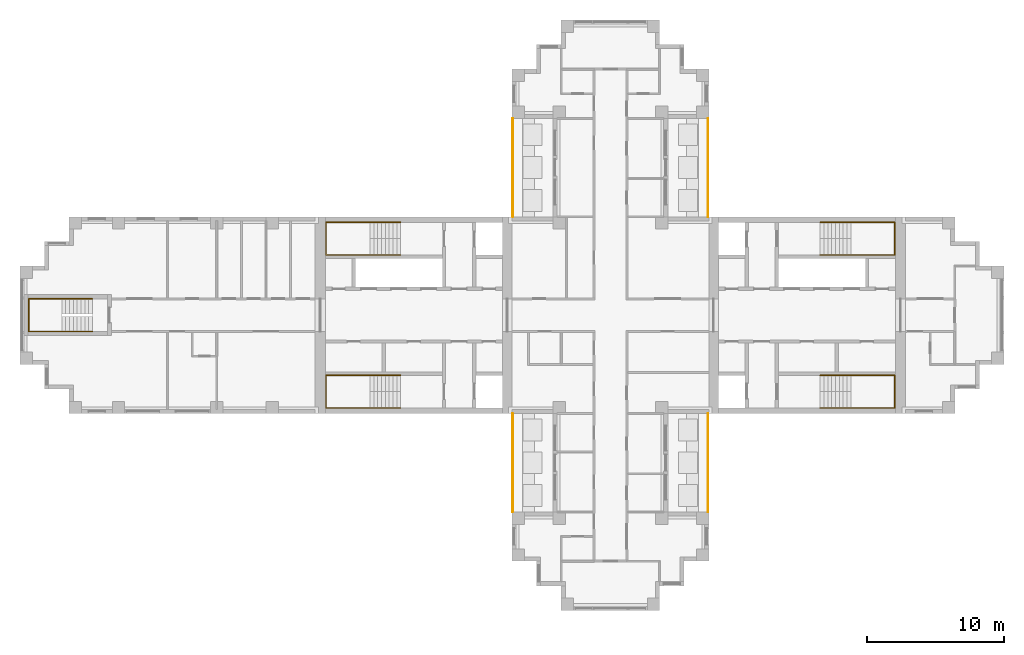
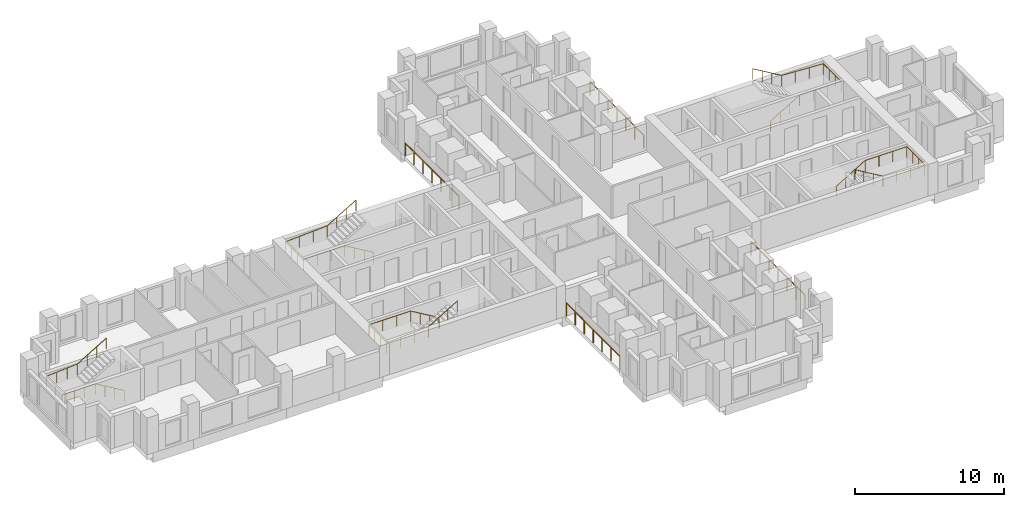
# One storey, part 10 of 11: 9 railings.
"""IFC4 building model written with IfcOpenShell, lengths in metres."""

from ifc_helpers import new_model, si_unit, direction, frame, origin, origin_2d, place, context, subcontext, project, spatial, circle, extrude, material, type_object, element, save


model = new_model("IFC4")

# Units and contexts
model_context = context("Model", 3, precision=1e-05, world=origin(), true_north=direction((0.0, 1.0)))
body_context = subcontext(model_context, "Body", "Model", "MODEL_VIEW")
ifc_project = project(units=[si_unit("LENGTHUNIT", "METRE"), si_unit("AREAUNIT", "SQUARE_METRE"), si_unit("VOLUMEUNIT", "CUBIC_METRE"), si_unit("PLANEANGLEUNIT", "RADIAN"), si_unit("MASSUNIT", "GRAM", prefix="KILO")], contexts=[model_context])

# Site, building, storey
site_placement = place(None, origin())
site = spatial("IfcSite", under=ifc_project, at=site_placement, CompositionType="ELEMENT")
building_placement = place(site_placement, origin())
building = spatial("IfcBuilding", under=site, at=building_placement, Name="Fustian Cross Tower", CompositionType="ELEMENT")
storey_placement = place(building_placement, frame((0.0, 0.0, 176.699951171875)))
storey = spatial("IfcBuildingStorey", under=building, at=storey_placement, Name="L55", CompositionType="ELEMENT", Elevation=176.699951171875)

# Railings
ifc_material_1 = material(Name="Stainless steel and glass", Category="steel")
railing_type_1 = type_object("IfcRailingType", Name="GR1 BALCONY GUARD 1100", PredefinedType="GUARDRAIL", material=ifc_material_1)
for number, where, name in (
    (1, (7.14990234375, 7.199951171875, 0.0), "Balcony guard"),
    (2, (-7.14990234375, 7.199951171875, 0.0), "Balcony guard"),
    (3, (7.14990234375, -14.39990234375, 0.0), "Balcony guard"),
    (4, (-7.14990234375, -14.39990234375, 0.0), "Balcony guard"),
):
    element("IfcRailing", number, at=place(storey_placement, frame(where)), inside=storey, type_object=railing_type_1, Name=name, PredefinedType="GUARDRAIL", context=body_context, shape_type="SweptSolid", body=[
        extrude(circle(Radius=0.02392578125, at=origin_2d()), frame((0.0, 0.0, 1.076171875), z_axis=(0.0, 1.0, 0.0), x_axis=(-1.0, 0.0, 0.0)), (0.0, 0.0, 1.0), 7.199951171875),
        extrude(circle(Radius=0.02099609375, at=origin_2d()), origin(), (0.0, 0.0, 1.0), 1.052001953125),
        extrude(circle(Radius=0.02099609375, at=origin_2d()), frame((0.0, 1.199951171875, 0.0)), (0.0, 0.0, 1.0), 1.052001953125),
        extrude(circle(Radius=0.02099609375, at=origin_2d()), frame((0.0, 2.39990234375, 0.0)), (0.0, 0.0, 1.0), 1.052001953125),
        extrude(circle(Radius=0.02099609375, at=origin_2d()), frame((0.0, 3.60009765625, 0.0)), (0.0, 0.0, 1.0), 1.052001953125),
        extrude(circle(Radius=0.02099609375, at=origin_2d()), frame((0.0, 4.800048828125, 0.0)), (0.0, 0.0, 1.0), 1.052001953125),
        extrude(circle(Radius=0.02099609375, at=origin_2d()), frame((0.0, 6.0, 0.0)), (0.0, 0.0, 1.0), 1.052001953125),
        extrude(circle(Radius=0.02099609375, at=origin_2d()), frame((0.0, 7.199951171875, 0.0)), (0.0, 0.0, 1.0), 1.052001953125),
    ])
ifc_material_2 = material(Name="Stainless steel", Category="steel")
railing_type_2 = type_object("IfcRailingType", Name="STAIR HANDRAIL", PredefinedType="HANDRAIL", material=ifc_material_2)
railing_1_placement = place(storey_placement, frame((15.35009765625, 4.39990234375, 0.166748046875)))
element("IfcRailing", 5, at=railing_1_placement, inside=storey, type_object=railing_type_2, Name="Stair ST1 handrail 1", PredefinedType="HANDRAIL", context=body_context, shape_type="SweptSolid", body=[
    extrude(circle(Radius=0.02490234375, at=origin_2d()), frame((0.0, 0.0, 0.875), z_axis=(0.859305625298, 0.0, 0.511462454469), x_axis=(0.0, 1.0, 0.0)), (0.0, 0.0, 1.0), 2.606689453125),
    extrude(circle(Radius=0.02490234375, at=origin_2d()), frame((2.239990234375, 0.0, 2.2080078125), z_axis=(1.0, 0.0, 0.0), x_axis=(0.0, 1.0, 0.0)), (0.0, 0.0, 1.0), 3.219970703125),
    extrude(circle(Radius=0.02490234375, at=origin_2d()), frame((5.4599609375, 0.0, 2.2080078125), z_axis=(0.0, 1.0, 0.0), x_axis=(-1.0, 0.0, 0.0)), (0.0, 0.0, 1.0), 2.400146484375),
    extrude(circle(Radius=0.02490234375, at=origin_2d()), frame((5.4599609375, 2.400146484375, 2.2080078125), z_axis=(-0.998661817807, 0.0, 0.051716280352), x_axis=(0.0, -1.0, 0.0)), (0.0, 0.0, 1.0), 3.224365234375),
    extrude(circle(Radius=0.02490234375, at=origin_2d()), frame((2.239990234375, 2.400146484375, 2.375), z_axis=(-0.859305625298, 0.0, 0.511462454469), x_axis=(0.0, -1.0, 0.0)), (0.0, 0.0, 1.0), 2.606689453125),
    extrude(circle(Radius=0.02001953125, at=origin_2d()), origin(), (0.0, 0.0, 1.0), 0.849853515625),
    extrude(circle(Radius=0.02001953125, at=origin_2d()), frame((0.74658203125, 0.0, 0.4443359375)), (0.0, 0.0, 1.0), 0.849853515625),
    extrude(circle(Radius=0.02001953125, at=origin_2d()), frame((1.493408203125, 0.0, 0.888916015625)), (0.0, 0.0, 1.0), 0.849853515625),
    extrude(circle(Radius=0.02001953125, at=origin_2d()), frame((2.239990234375, 0.0, 1.333251953125)), (0.0, 0.0, 1.0), 0.849853515625),
    extrude(circle(Radius=0.02001953125, at=origin_2d()), frame((3.313232421875, 0.0, 1.333251953125)), (0.0, 0.0, 1.0), 0.849853515625),
    extrude(circle(Radius=0.02001953125, at=origin_2d()), frame((4.38671875, 0.0, 1.333251953125)), (0.0, 0.0, 1.0), 0.849853515625),
    extrude(circle(Radius=0.02001953125, at=origin_2d()), frame((5.4599609375, 0.0, 1.333251953125)), (0.0, 0.0, 1.0), 0.849853515625),
    extrude(circle(Radius=0.02001953125, at=origin_2d()), frame((5.4599609375, 0.800048828125, 1.333251953125)), (0.0, 0.0, 1.0), 0.849853515625),
    extrude(circle(Radius=0.02001953125, at=origin_2d()), frame((5.4599609375, 1.60009765625, 1.333251953125)), (0.0, 0.0, 1.0), 0.849853515625),
    extrude(circle(Radius=0.02001953125, at=origin_2d()), frame((5.4599609375, 2.400146484375, 1.333251953125)), (0.0, 0.0, 1.0), 0.849853515625),
    extrude(circle(Radius=0.02001953125, at=origin_2d()), frame((4.38671875, 2.400146484375, 1.388916015625)), (0.0, 0.0, 1.0), 0.849853515625),
    extrude(circle(Radius=0.02001953125, at=origin_2d()), frame((3.313232421875, 2.400146484375, 1.4443359375)), (0.0, 0.0, 1.0), 0.849853515625),
    extrude(circle(Radius=0.02001953125, at=origin_2d()), frame((2.239990234375, 2.400146484375, 1.5)), (0.0, 0.0, 1.0), 0.849853515625),
    extrude(circle(Radius=0.02001953125, at=origin_2d()), frame((1.493408203125, 2.400146484375, 1.9443359375)), (0.0, 0.0, 1.0), 0.849853515625),
    extrude(circle(Radius=0.02001953125, at=origin_2d()), frame((0.74658203125, 2.400146484375, 2.388916015625)), (0.0, 0.0, 1.0), 0.849853515625),
    extrude(circle(Radius=0.02001953125, at=origin_2d()), frame((0.0, 2.400146484375, 2.833251953125)), (0.0, 0.0, 1.0), 0.849853515625),
])
railing_2_placement = place(storey_placement, frame((15.35009765625, -4.39990234375, 0.166748046875)))
element("IfcRailing", 6, at=railing_2_placement, inside=storey, type_object=railing_type_2, Name="Stair ST2 handrail 1", PredefinedType="HANDRAIL", context=body_context, shape_type="SweptSolid", body=[
    extrude(circle(Radius=0.02490234375, at=origin_2d()), frame((0.0, 0.0, 0.875), z_axis=(0.859305625298, 0.0, 0.511462454469), x_axis=(0.0, 1.0, 0.0)), (0.0, 0.0, 1.0), 2.606689453125),
    extrude(circle(Radius=0.02490234375, at=origin_2d()), frame((2.239990234375, 0.0, 2.2080078125), z_axis=(1.0, 0.0, 0.0), x_axis=(0.0, 1.0, 0.0)), (0.0, 0.0, 1.0), 3.219970703125),
    extrude(circle(Radius=0.02490234375, at=origin_2d()), frame((5.4599609375, 0.0, 2.2080078125), z_axis=(0.0, -1.0, 0.0), x_axis=(1.0, 0.0, 0.0)), (0.0, 0.0, 1.0), 2.400146484375),
    extrude(circle(Radius=0.02490234375, at=origin_2d()), frame((5.4599609375, -2.400146484375, 2.2080078125), z_axis=(-0.998661817807, 0.0, 0.051716280352), x_axis=(0.0, -1.0, 0.0)), (0.0, 0.0, 1.0), 3.224365234375),
    extrude(circle(Radius=0.02490234375, at=origin_2d()), frame((2.239990234375, -2.400146484375, 2.375), z_axis=(-0.859305625298, 0.0, 0.511462454469), x_axis=(0.0, -1.0, 0.0)), (0.0, 0.0, 1.0), 2.606689453125),
    extrude(circle(Radius=0.02001953125, at=origin_2d()), origin(), (0.0, 0.0, 1.0), 0.849853515625),
    extrude(circle(Radius=0.02001953125, at=origin_2d()), frame((0.74658203125, 0.0, 0.4443359375)), (0.0, 0.0, 1.0), 0.849853515625),
    extrude(circle(Radius=0.02001953125, at=origin_2d()), frame((1.493408203125, 0.0, 0.888916015625)), (0.0, 0.0, 1.0), 0.849853515625),
    extrude(circle(Radius=0.02001953125, at=origin_2d()), frame((2.239990234375, 0.0, 1.333251953125)), (0.0, 0.0, 1.0), 0.849853515625),
    extrude(circle(Radius=0.02001953125, at=origin_2d()), frame((3.313232421875, 0.0, 1.333251953125)), (0.0, 0.0, 1.0), 0.849853515625),
    extrude(circle(Radius=0.02001953125, at=origin_2d()), frame((4.38671875, 0.0, 1.333251953125)), (0.0, 0.0, 1.0), 0.849853515625),
    extrude(circle(Radius=0.02001953125, at=origin_2d()), frame((5.4599609375, 0.0, 1.333251953125)), (0.0, 0.0, 1.0), 0.849853515625),
    extrude(circle(Radius=0.02001953125, at=origin_2d()), frame((5.4599609375, -0.800048828125, 1.333251953125)), (0.0, 0.0, 1.0), 0.849853515625),
    extrude(circle(Radius=0.02001953125, at=origin_2d()), frame((5.4599609375, -1.60009765625, 1.333251953125)), (0.0, 0.0, 1.0), 0.849853515625),
    extrude(circle(Radius=0.02001953125, at=origin_2d()), frame((5.4599609375, -2.400146484375, 1.333251953125)), (0.0, 0.0, 1.0), 0.849853515625),
    extrude(circle(Radius=0.02001953125, at=origin_2d()), frame((4.38671875, -2.400146484375, 1.388916015625)), (0.0, 0.0, 1.0), 0.849853515625),
    extrude(circle(Radius=0.02001953125, at=origin_2d()), frame((3.313232421875, -2.400146484375, 1.4443359375)), (0.0, 0.0, 1.0), 0.849853515625),
    extrude(circle(Radius=0.02001953125, at=origin_2d()), frame((2.239990234375, -2.400146484375, 1.5)), (0.0, 0.0, 1.0), 0.849853515625),
    extrude(circle(Radius=0.02001953125, at=origin_2d()), frame((1.493408203125, -2.400146484375, 1.9443359375)), (0.0, 0.0, 1.0), 0.849853515625),
    extrude(circle(Radius=0.02001953125, at=origin_2d()), frame((0.74658203125, -2.400146484375, 2.388916015625)), (0.0, 0.0, 1.0), 0.849853515625),
    extrude(circle(Radius=0.02001953125, at=origin_2d()), frame((0.0, -2.400146484375, 2.833251953125)), (0.0, 0.0, 1.0), 0.849853515625),
])
railing_3_placement = place(storey_placement, frame((-15.35009765625, 4.39990234375, 0.166748046875)))
element("IfcRailing", 7, at=railing_3_placement, inside=storey, type_object=railing_type_2, Name="Stair ST3 handrail 1", PredefinedType="HANDRAIL", context=body_context, shape_type="SweptSolid", body=[
    extrude(circle(Radius=0.02490234375, at=origin_2d()), frame((0.0, 0.0, 0.875), z_axis=(-0.859305625298, 0.0, 0.511462454469), x_axis=(0.0, -1.0, 0.0)), (0.0, 0.0, 1.0), 2.606689453125),
    extrude(circle(Radius=0.02490234375, at=origin_2d()), frame((-2.239990234375, 0.0, 2.2080078125), z_axis=(-1.0, 0.0, 0.0), x_axis=(0.0, -1.0, 0.0)), (0.0, 0.0, 1.0), 3.219970703125),
    extrude(circle(Radius=0.02490234375, at=origin_2d()), frame((-5.4599609375, 0.0, 2.2080078125), z_axis=(0.0, 1.0, 0.0), x_axis=(-1.0, 0.0, 0.0)), (0.0, 0.0, 1.0), 2.400146484375),
    extrude(circle(Radius=0.02490234375, at=origin_2d()), frame((-5.4599609375, 2.400146484375, 2.2080078125), z_axis=(0.998661817807, 0.0, 0.051716280352), x_axis=(0.0, 1.0, 0.0)), (0.0, 0.0, 1.0), 3.224365234375),
    extrude(circle(Radius=0.02490234375, at=origin_2d()), frame((-2.239990234375, 2.400146484375, 2.375), z_axis=(0.859305625298, 0.0, 0.511462454469), x_axis=(0.0, 1.0, 0.0)), (0.0, 0.0, 1.0), 2.606689453125),
    extrude(circle(Radius=0.02001953125, at=origin_2d()), origin(), (0.0, 0.0, 1.0), 0.849853515625),
    extrude(circle(Radius=0.02001953125, at=origin_2d()), frame((-0.74658203125, 0.0, 0.4443359375)), (0.0, 0.0, 1.0), 0.849853515625),
    extrude(circle(Radius=0.02001953125, at=origin_2d()), frame((-1.493408203125, 0.0, 0.888916015625)), (0.0, 0.0, 1.0), 0.849853515625),
    extrude(circle(Radius=0.02001953125, at=origin_2d()), frame((-2.239990234375, 0.0, 1.333251953125)), (0.0, 0.0, 1.0), 0.849853515625),
    extrude(circle(Radius=0.02001953125, at=origin_2d()), frame((-3.313232421875, 0.0, 1.333251953125)), (0.0, 0.0, 1.0), 0.849853515625),
    extrude(circle(Radius=0.02001953125, at=origin_2d()), frame((-4.38671875, 0.0, 1.333251953125)), (0.0, 0.0, 1.0), 0.849853515625),
    extrude(circle(Radius=0.02001953125, at=origin_2d()), frame((-5.4599609375, 0.0, 1.333251953125)), (0.0, 0.0, 1.0), 0.849853515625),
    extrude(circle(Radius=0.02001953125, at=origin_2d()), frame((-5.4599609375, 0.800048828125, 1.333251953125)), (0.0, 0.0, 1.0), 0.849853515625),
    extrude(circle(Radius=0.02001953125, at=origin_2d()), frame((-5.4599609375, 1.60009765625, 1.333251953125)), (0.0, 0.0, 1.0), 0.849853515625),
    extrude(circle(Radius=0.02001953125, at=origin_2d()), frame((-5.4599609375, 2.400146484375, 1.333251953125)), (0.0, 0.0, 1.0), 0.849853515625),
    extrude(circle(Radius=0.02001953125, at=origin_2d()), frame((-4.38671875, 2.400146484375, 1.388916015625)), (0.0, 0.0, 1.0), 0.849853515625),
    extrude(circle(Radius=0.02001953125, at=origin_2d()), frame((-3.313232421875, 2.400146484375, 1.4443359375)), (0.0, 0.0, 1.0), 0.849853515625),
    extrude(circle(Radius=0.02001953125, at=origin_2d()), frame((-2.239990234375, 2.400146484375, 1.5)), (0.0, 0.0, 1.0), 0.849853515625),
    extrude(circle(Radius=0.02001953125, at=origin_2d()), frame((-1.493408203125, 2.400146484375, 1.9443359375)), (0.0, 0.0, 1.0), 0.849853515625),
    extrude(circle(Radius=0.02001953125, at=origin_2d()), frame((-0.74658203125, 2.400146484375, 2.388916015625)), (0.0, 0.0, 1.0), 0.849853515625),
    extrude(circle(Radius=0.02001953125, at=origin_2d()), frame((0.0, 2.400146484375, 2.833251953125)), (0.0, 0.0, 1.0), 0.849853515625),
])
railing_4_placement = place(storey_placement, frame((-15.35009765625, -4.39990234375, 0.166748046875)))
element("IfcRailing", 8, at=railing_4_placement, inside=storey, type_object=railing_type_2, Name="Stair ST4 handrail 1", PredefinedType="HANDRAIL", context=body_context, shape_type="SweptSolid", body=[
    extrude(circle(Radius=0.02490234375, at=origin_2d()), frame((0.0, 0.0, 0.875), z_axis=(-0.859305625298, 0.0, 0.511462454469), x_axis=(0.0, -1.0, 0.0)), (0.0, 0.0, 1.0), 2.606689453125),
    extrude(circle(Radius=0.02490234375, at=origin_2d()), frame((-2.239990234375, 0.0, 2.2080078125), z_axis=(-1.0, 0.0, 0.0), x_axis=(0.0, -1.0, 0.0)), (0.0, 0.0, 1.0), 3.219970703125),
    extrude(circle(Radius=0.02490234375, at=origin_2d()), frame((-5.4599609375, 0.0, 2.2080078125), z_axis=(0.0, -1.0, 0.0), x_axis=(1.0, 0.0, 0.0)), (0.0, 0.0, 1.0), 2.400146484375),
    extrude(circle(Radius=0.02490234375, at=origin_2d()), frame((-5.4599609375, -2.400146484375, 2.2080078125), z_axis=(0.998661817807, 0.0, 0.051716280352), x_axis=(0.0, 1.0, 0.0)), (0.0, 0.0, 1.0), 3.224365234375),
    extrude(circle(Radius=0.02490234375, at=origin_2d()), frame((-2.239990234375, -2.400146484375, 2.375), z_axis=(0.859305625298, 0.0, 0.511462454469), x_axis=(0.0, 1.0, 0.0)), (0.0, 0.0, 1.0), 2.606689453125),
    extrude(circle(Radius=0.02001953125, at=origin_2d()), origin(), (0.0, 0.0, 1.0), 0.849853515625),
    extrude(circle(Radius=0.02001953125, at=origin_2d()), frame((-0.74658203125, 0.0, 0.4443359375)), (0.0, 0.0, 1.0), 0.849853515625),
    extrude(circle(Radius=0.02001953125, at=origin_2d()), frame((-1.493408203125, 0.0, 0.888916015625)), (0.0, 0.0, 1.0), 0.849853515625),
    extrude(circle(Radius=0.02001953125, at=origin_2d()), frame((-2.239990234375, 0.0, 1.333251953125)), (0.0, 0.0, 1.0), 0.849853515625),
    extrude(circle(Radius=0.02001953125, at=origin_2d()), frame((-3.313232421875, 0.0, 1.333251953125)), (0.0, 0.0, 1.0), 0.849853515625),
    extrude(circle(Radius=0.02001953125, at=origin_2d()), frame((-4.38671875, 0.0, 1.333251953125)), (0.0, 0.0, 1.0), 0.849853515625),
    extrude(circle(Radius=0.02001953125, at=origin_2d()), frame((-5.4599609375, 0.0, 1.333251953125)), (0.0, 0.0, 1.0), 0.849853515625),
    extrude(circle(Radius=0.02001953125, at=origin_2d()), frame((-5.4599609375, -0.800048828125, 1.333251953125)), (0.0, 0.0, 1.0), 0.849853515625),
    extrude(circle(Radius=0.02001953125, at=origin_2d()), frame((-5.4599609375, -1.60009765625, 1.333251953125)), (0.0, 0.0, 1.0), 0.849853515625),
    extrude(circle(Radius=0.02001953125, at=origin_2d()), frame((-5.4599609375, -2.400146484375, 1.333251953125)), (0.0, 0.0, 1.0), 0.849853515625),
    extrude(circle(Radius=0.02001953125, at=origin_2d()), frame((-4.38671875, -2.400146484375, 1.388916015625)), (0.0, 0.0, 1.0), 0.849853515625),
    extrude(circle(Radius=0.02001953125, at=origin_2d()), frame((-3.313232421875, -2.400146484375, 1.4443359375)), (0.0, 0.0, 1.0), 0.849853515625),
    extrude(circle(Radius=0.02001953125, at=origin_2d()), frame((-2.239990234375, -2.400146484375, 1.5)), (0.0, 0.0, 1.0), 0.849853515625),
    extrude(circle(Radius=0.02001953125, at=origin_2d()), frame((-1.493408203125, -2.400146484375, 1.9443359375)), (0.0, 0.0, 1.0), 0.849853515625),
    extrude(circle(Radius=0.02001953125, at=origin_2d()), frame((-0.74658203125, -2.400146484375, 2.388916015625)), (0.0, 0.0, 1.0), 0.849853515625),
    extrude(circle(Radius=0.02001953125, at=origin_2d()), frame((0.0, -2.400146484375, 2.833251953125)), (0.0, 0.0, 1.0), 0.849853515625),
])
railing_5_placement = place(storey_placement, frame((-37.89990234375, -1.199951171875, 0.166748046875)))
element("IfcRailing", 9, at=railing_5_placement, inside=storey, type_object=railing_type_2, Name="Stair ST9 handrail 1", PredefinedType="HANDRAIL", context=body_context, shape_type="SweptSolid", body=[
    extrude(circle(Radius=0.02490234375, at=origin_2d()), frame((0.0, 0.0, 0.875), z_axis=(-0.859305625298, 0.0, 0.511462454469), x_axis=(0.0, -1.0, 0.0)), (0.0, 0.0, 1.0), 2.606689453125),
    extrude(circle(Radius=0.02490234375, at=origin_2d()), frame((-2.239990234375, 0.0, 2.2080078125), z_axis=(-1.0, 0.0, 0.0), x_axis=(0.0, -1.0, 0.0)), (0.0, 0.0, 1.0), 2.420166015625),
    extrude(circle(Radius=0.02490234375, at=origin_2d()), frame((-4.66015625, 0.0, 2.2080078125), z_axis=(0.0, 1.0, 0.0), x_axis=(-1.0, 0.0, 0.0)), (0.0, 0.0, 1.0), 2.39990234375),
    extrude(circle(Radius=0.02490234375, at=origin_2d()), frame((-4.66015625, 2.39990234375, 2.2080078125), z_axis=(0.997634852044, 0.0, 0.068736467663), x_axis=(0.0, 1.0, 0.0)), (0.0, 0.0, 1.0), 2.426025390625),
    extrude(circle(Radius=0.02490234375, at=origin_2d()), frame((-2.239990234375, 2.39990234375, 2.375), z_axis=(0.859305625298, 0.0, 0.511462454469), x_axis=(0.0, 1.0, 0.0)), (0.0, 0.0, 1.0), 2.606689453125),
    extrude(circle(Radius=0.02001953125, at=origin_2d()), origin(), (0.0, 0.0, 1.0), 0.849853515625),
    extrude(circle(Radius=0.02001953125, at=origin_2d()), frame((-0.74658203125, 0.0, 0.4443359375)), (0.0, 0.0, 1.0), 0.849853515625),
    extrude(circle(Radius=0.02001953125, at=origin_2d()), frame((-1.493408203125, 0.0, 0.888916015625)), (0.0, 0.0, 1.0), 0.849853515625),
    extrude(circle(Radius=0.02001953125, at=origin_2d()), frame((-2.239990234375, 0.0, 1.333251953125)), (0.0, 0.0, 1.0), 0.849853515625),
    extrude(circle(Radius=0.02001953125, at=origin_2d()), frame((-3.046630859375, 0.0, 1.333251953125)), (0.0, 0.0, 1.0), 0.849853515625),
    extrude(circle(Radius=0.02001953125, at=origin_2d()), frame((-3.853515625, 0.0, 1.333251953125)), (0.0, 0.0, 1.0), 0.849853515625),
    extrude(circle(Radius=0.02001953125, at=origin_2d()), frame((-4.66015625, 0.0, 1.333251953125)), (0.0, 0.0, 1.0), 0.849853515625),
    extrude(circle(Radius=0.02001953125, at=origin_2d()), frame((-4.66015625, 1.199951171875, 1.333251953125)), (0.0, 0.0, 1.0), 0.849853515625),
    extrude(circle(Radius=0.02001953125, at=origin_2d()), frame((-4.66015625, 2.39990234375, 1.333251953125)), (0.0, 0.0, 1.0), 0.849853515625),
    extrude(circle(Radius=0.02001953125, at=origin_2d()), frame((-3.853515625, 2.39990234375, 1.388916015625)), (0.0, 0.0, 1.0), 0.849853515625),
    extrude(circle(Radius=0.02001953125, at=origin_2d()), frame((-3.046630859375, 2.39990234375, 1.4443359375)), (0.0, 0.0, 1.0), 0.849853515625),
    extrude(circle(Radius=0.02001953125, at=origin_2d()), frame((-2.239990234375, 2.39990234375, 1.5)), (0.0, 0.0, 1.0), 0.849853515625),
    extrude(circle(Radius=0.02001953125, at=origin_2d()), frame((-1.493408203125, 2.39990234375, 1.9443359375)), (0.0, 0.0, 1.0), 0.849853515625),
    extrude(circle(Radius=0.02001953125, at=origin_2d()), frame((-0.74658203125, 2.39990234375, 2.388916015625)), (0.0, 0.0, 1.0), 0.849853515625),
    extrude(circle(Radius=0.02001953125, at=origin_2d()), frame((0.0, 2.39990234375, 2.833251953125)), (0.0, 0.0, 1.0), 0.849853515625),
])

save(model, "model.ifc")
